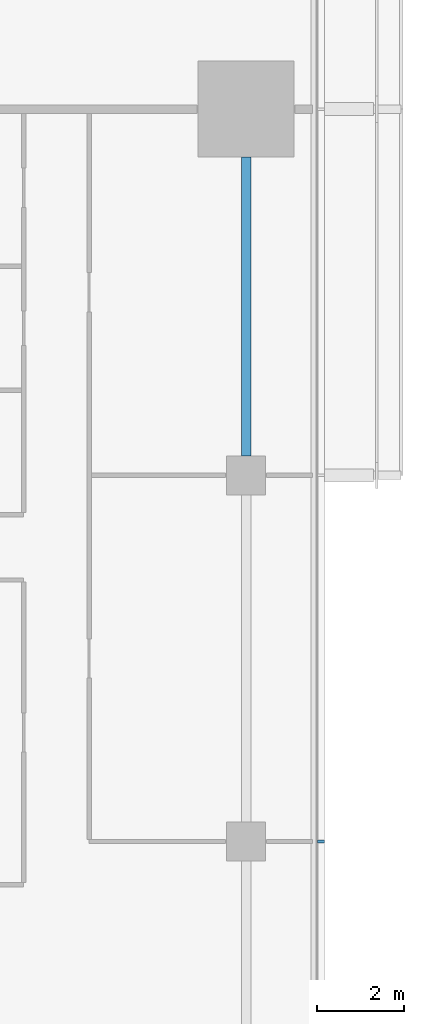
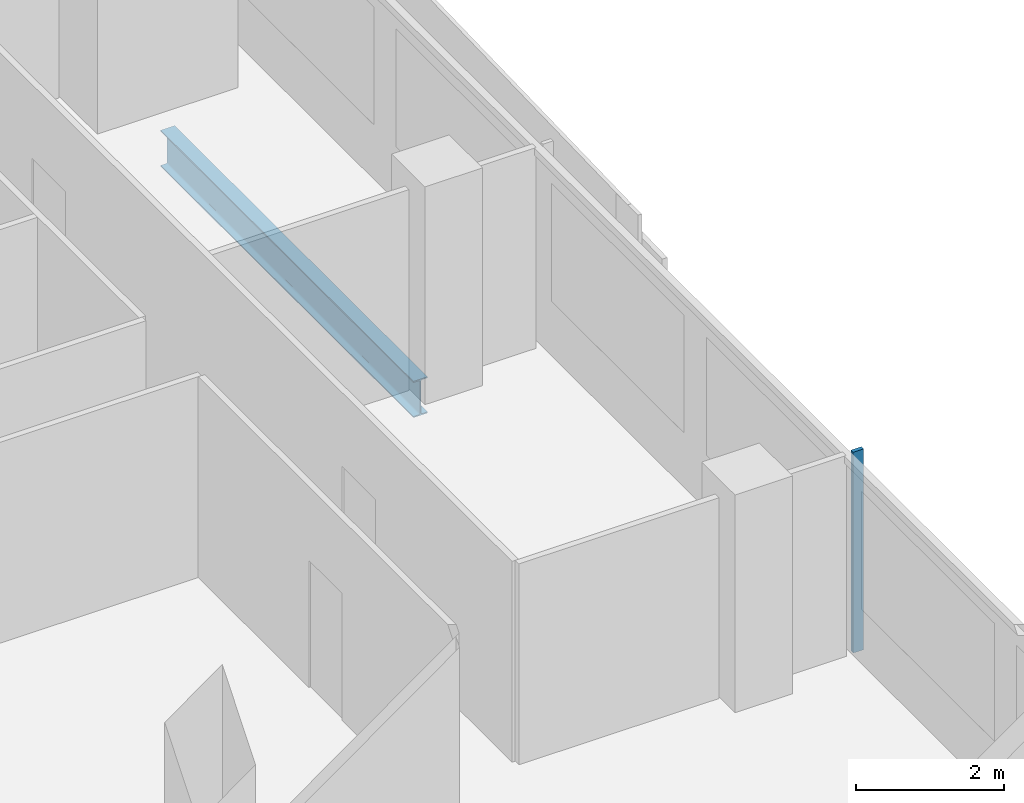
# One storey, part 11 of 27: 1 beam, 1 member, 1 element without a shape of its own.
"""IFC4 building model written with IfcOpenShell, lengths in metres."""

from ifc_helpers import new_model, si_unit, direction, frame, origin, origin_2d, place, context, subcontext, project, spatial, rectangle, i_section, extrude, material, material_profile, profile_set, type_object, element, aggregate, save


model = new_model("IFC4")

# Units and contexts
model_context = context("Model", 3, precision=1e-05, world=origin(), true_north=direction((0.0, 1.0)))
body_context = subcontext(model_context, "Body", "Model", "MODEL_VIEW")
ifc_project = project(units=[si_unit("LENGTHUNIT", "METRE"), si_unit("AREAUNIT", "SQUARE_METRE"), si_unit("VOLUMEUNIT", "CUBIC_METRE"), si_unit("PLANEANGLEUNIT", "RADIAN"), si_unit("MASSUNIT", "GRAM", prefix="KILO")], contexts=[model_context])

# Site, building, storey
site_placement = place(None, origin())
site = spatial("IfcSite", under=ifc_project, at=site_placement, CompositionType="ELEMENT")
building_placement = place(site_placement, origin())
building = spatial("IfcBuilding", under=site, at=building_placement, Name="Saffron Gate Tower", CompositionType="ELEMENT")
storey_placement = place(building_placement, frame((0.0, 0.0, 76.800048828125)))
storey = spatial("IfcBuildingStorey", under=building, at=storey_placement, Name="L18", CompositionType="ELEMENT", Elevation=76.800048828125)

# Beam
ifc_material_1 = material(Name="Structural steel S355", Category="steel")
ifc_material_profile_1 = material_profile(ifc_material_1, i_section(OverallWidth=0.219970703125, OverallDepth=0.60009765625, WebThickness=0.011962890625, FlangeThickness=0.01904296875, FilletRadius=0.02392578125, at=origin_2d()))
ifc_profile_set_1 = profile_set([ifc_material_profile_1], Name="Structural steel S355")
beam_type = type_object("IfcBeamType", Name="B16 IPE 600", PredefinedType="SPANDREL", material=ifc_profile_set_1)
beam_placement = place(storey_placement, frame((125.39990234375, 57.449951171875, -0.580078125), z_axis=(0.0, 1.0, 0.0), x_axis=(-1.0, 0.0, 0.0)))
element("IfcBeam", 1, at=beam_placement, inside=storey, type_object=beam_type, Name="B16 SPANDREL BEAM", PredefinedType="SPANDREL", context=body_context, shape_type="SweptSolid", body=[
    extrude(i_section(OverallWidth=0.219970703125, OverallDepth=0.60009765625, WebThickness=0.011962890625, FlangeThickness=0.01904296875, FilletRadius=0.02392578125, at=origin_2d()), origin(), (0.0, 0.0, 1.0), 6.85009765625),
])

# Curtain wall, member
ifc_material_2 = material(Name="Aluminium, bronze anodised", Category="aluminium")
curtain_wall_type = type_object("IfcCurtainWallType", Name="CWS2 curtain wall side facades", PredefinedType="NOTDEFINED", material=ifc_material_2)
curtain_wall_placement = place(storey_placement, origin())
curtain_wall = element("IfcCurtainWall", 2, at=curtain_wall_placement, inside=storey, type_object=curtain_wall_type, Name="CWS2 run 4", PredefinedType="NOTDEFINED")
ifc_material_profile_2 = material_profile(ifc_material_2, rectangle(XDim=0.159912109375, YDim=0.06005859375, at=origin_2d()))
ifc_profile_set_2 = profile_set([ifc_material_profile_2], Name="Aluminium, bronze anodised")
member_type = type_object("IfcMemberType", Name="CWS2 mullion 60x160", PredefinedType="MULLION", material=ifc_profile_set_2)
member_placement = place(storey_placement, frame((127.1201171875, 48.60009765625, 0.0), z_axis=(0.0, 0.0, 1.0), x_axis=(-1.0, 0.0, 0.0)))
member = element("IfcMember", 3, at=member_placement, type_object=member_type, Name="CWS2 mullion 3", PredefinedType="MULLION", context=body_context, shape_type="SweptSolid", body=[
    extrude(rectangle(XDim=0.159912109375, YDim=0.06005859375, at=origin_2d()), origin(), (0.0, 0.0, 1.0), 3.320068359375),
])
aggregate(curtain_wall, [member])

save(model, "model.ifc")
